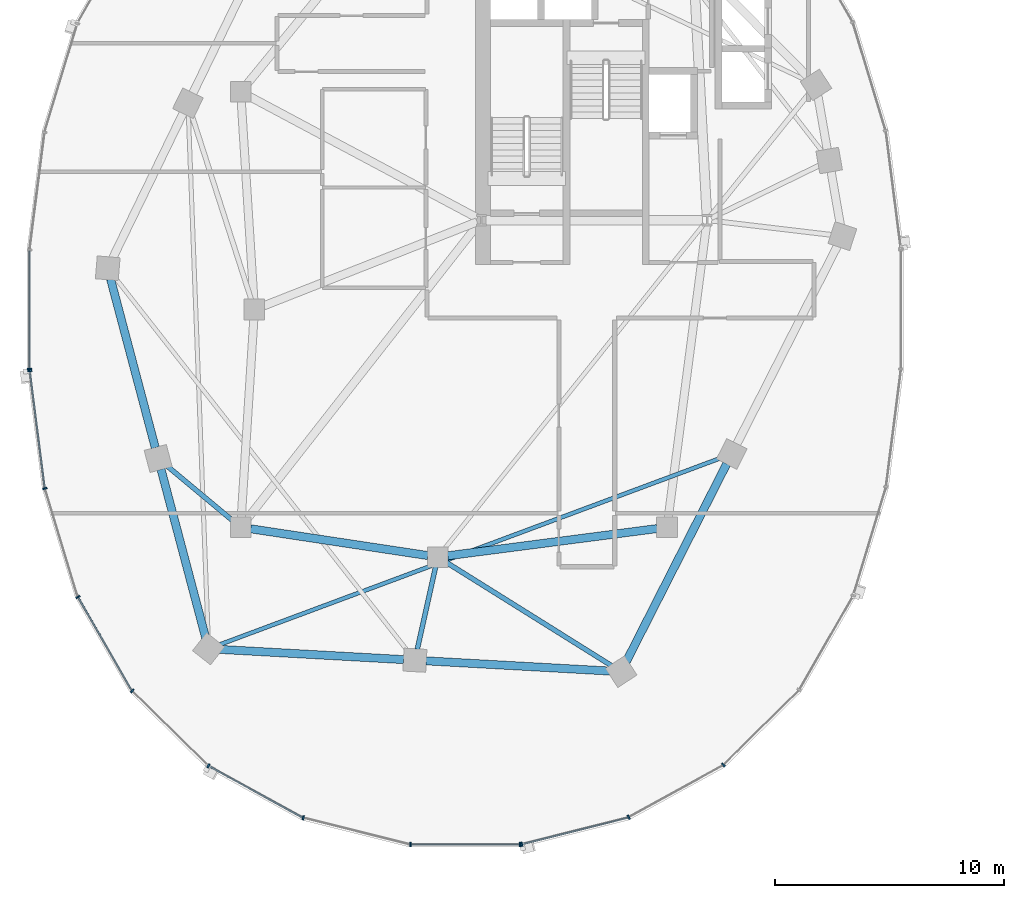
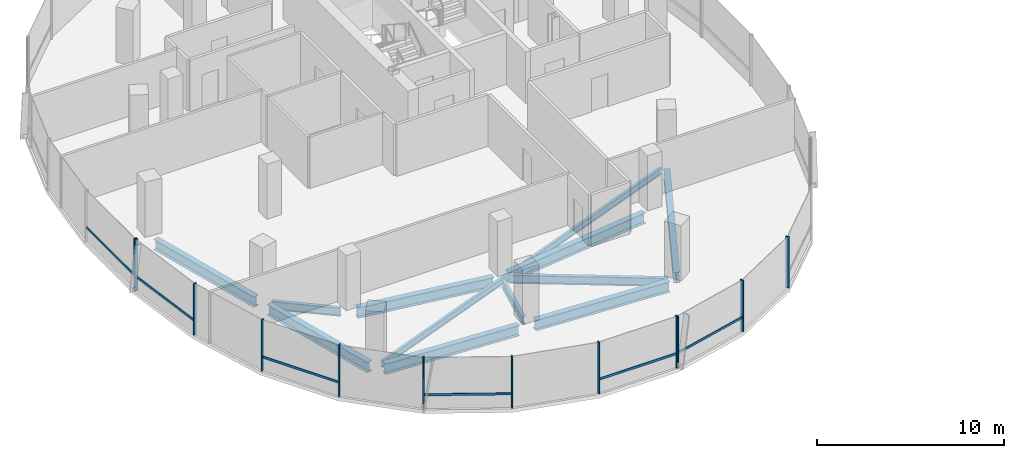
# One storey, part 2 of 22: 18 members, 11 beams, 3 elements without a shape of their own.
"""IFC4 building model written with IfcOpenShell, lengths in metres."""

from ifc_helpers import new_model, si_unit, direction, frame, origin, origin_2d, place, context, subcontext, project, spatial, rectangle, i_section, extrude, material, material_profile, profile_set, type_object, element, aggregate, save


model = new_model("IFC4")

# Units and contexts
model_context = context("Model", 3, precision=1e-05, world=origin(), true_north=direction((0.0, 1.0)))
body_context = subcontext(model_context, "Body", "Model", "MODEL_VIEW")
ifc_project = project(units=[si_unit("LENGTHUNIT", "METRE"), si_unit("AREAUNIT", "SQUARE_METRE"), si_unit("VOLUMEUNIT", "CUBIC_METRE"), si_unit("PLANEANGLEUNIT", "RADIAN"), si_unit("MASSUNIT", "GRAM", prefix="KILO"), si_unit("THERMODYNAMICTEMPERATUREUNIT", "KELVIN"), si_unit("POWERUNIT", "WATT")], contexts=[model_context])

# Site, building, storey
site_placement = place(None, origin())
site = spatial("IfcSite", under=ifc_project, at=site_placement, CompositionType="ELEMENT")
building_placement = place(site_placement, origin())
building = spatial("IfcBuilding", under=site, at=building_placement, Name="Cundina Bronze Exchange", CompositionType="ELEMENT")
storey_placement = place(building_placement, frame((0.0, 0.0, 165.60009765625)))
storey = spatial("IfcBuildingStorey", under=building, at=storey_placement, Name="L43", CompositionType="ELEMENT", Elevation=165.60009765625)

# Beams
ifc_material_1 = material(Name="Steel ASTM A992 Grade 50", Category="steel")
ifc_material_profile_1 = material_profile(ifc_material_1, i_section(OverallWidth=0.2119140625, OverallDepth=0.5439453125, WebThickness=0.01318359375, FlangeThickness=0.021240234375, FilletRadius=0.013916015625, at=origin_2d()), Name="W21X83", Category="steel")
ifc_profile_set_1 = profile_set([ifc_material_profile_1], Name="Steel ASTM A992 Grade 50")
beam_type_1 = type_object("IfcBeamType", Name="BM-FLR-W21A", PredefinedType="BEAM", material=ifc_profile_set_1)
beam_1_placement = place(storey_placement, frame((-42.136474609375, -9.219482421875, -0.51220703125), z_axis=(-0.768253211489, 0.640146079451, 0.0), x_axis=(-0.640146079451, -0.768253211489, 0.0)))
element("IfcBeam", 1, at=beam_1_placement, inside=storey, type_object=beam_type_1, Name="L43 Leg W Radial Floor Beam 09", PredefinedType="BEAM", context=body_context, shape_type="SweptSolid", body=[
    extrude(i_section(OverallWidth=0.2119140625, OverallDepth=0.5439453125, WebThickness=0.01318359375, FlangeThickness=0.021240234375, FilletRadius=0.013916015625, at=origin_2d()), origin(), (0.0, 0.0, 1.0), 3.760009765625),
])
beam_2_placement = place(storey_placement, frame((-33.294921875, -11.2275390625, -0.51220703125), z_axis=(-0.216923440287, -0.976188619609, 0.0), x_axis=(0.976188619609, -0.216923440287, 0.0)))
element("IfcBeam", 2, at=beam_2_placement, inside=storey, type_object=beam_type_1, Name="L43 Leg W Radial Floor Beam 11", PredefinedType="BEAM", context=body_context, shape_type="SweptSolid", body=[
    extrude(i_section(OverallWidth=0.2119140625, OverallDepth=0.5439453125, WebThickness=0.01318359375, FlangeThickness=0.021240234375, FilletRadius=0.013916015625, at=origin_2d()), origin(), (0.0, 0.0, 1.0), 3.68359375),
])
beam_3_placement = place(storey_placement, frame((-32.82861328125, -11.031982421875, -0.51220703125), z_axis=(0.847985407265, -0.530019574228, 0.0), x_axis=(0.530019574228, 0.847985407265, 0.0)))
element("IfcBeam", 3, at=beam_3_placement, inside=storey, type_object=beam_type_1, Name="L43 Leg W Radial Floor Beam 12", PredefinedType="BEAM", context=body_context, shape_type="SweptSolid", body=[
    extrude(i_section(OverallWidth=0.2119140625, OverallDepth=0.5439453125, WebThickness=0.01318359375, FlangeThickness=0.021240234375, FilletRadius=0.013916015625, at=origin_2d()), origin(), (0.0, 0.0, 1.0), 8.50830078125),
])
ifc_material_profile_2 = material_profile(ifc_material_1, i_section(OverallWidth=0.178955078125, OverallDepth=0.409912109375, WebThickness=0.0087890625, FlangeThickness=0.014404296875, FilletRadius=0.010986328125, at=origin_2d()), Name="W16X45", Category="steel")
ifc_profile_set_2 = profile_set([ifc_material_profile_2], Name="Steel ASTM A992 Grade 50")
beam_type_2 = type_object("IfcBeamType", Name="BM-JST-W16", PredefinedType="JOIST", material=ifc_profile_set_2)
beam_4_placement = place(storey_placement, frame((-42.74267578125, -14.629638671875, -0.445068359375), z_axis=(0.937127922351, 0.348986041483, 0.0), x_axis=(-0.348986041483, 0.937127922351, 0.0)))
element("IfcBeam", 4, at=beam_4_placement, inside=storey, type_object=beam_type_2, Name="L43 Leg W Lobe Floor Joist 10-13", PredefinedType="JOIST", context=body_context, shape_type="SweptSolid", body=[
    extrude(i_section(OverallWidth=0.178955078125, OverallDepth=0.409912109375, WebThickness=0.0087890625, FlangeThickness=0.014404296875, FilletRadius=0.010986328125, at=origin_2d()), origin(), (0.0, 0.0, 1.0), 23.38037109375),
])
ifc_material_profile_3 = material_profile(ifc_material_1, i_section(OverallWidth=0.35498046875, OverallDepth=0.695068359375, WebThickness=0.015380859375, FlangeThickness=0.02490234375, FilletRadius=0.01806640625, at=origin_2d()), Name="W27X146", Category="steel")
ifc_profile_set_3 = profile_set([ifc_material_profile_3], Name="Steel ASTM A992 Grade 50")
beam_type_3 = type_object("IfcBeamType", Name="BM-RING-W27", PredefinedType="USERDEFINED", material=ifc_profile_set_3)
beam_5_placement = place(storey_placement, frame((-41.366943359375, -9.5654296875, -0.587646484375), z_axis=(0.988764903598, -0.149478979839, 0.0), x_axis=(0.149478979839, 0.988764903598, 0.0)))
element("IfcBeam", 5, at=beam_5_placement, inside=storey, type_object=beam_type_3, Name="L43 W Inner Structural Ring Girder 05", ObjectType="GIRDER", PredefinedType="USERDEFINED", context=body_context, shape_type="SweptSolid", body=[
    extrude(i_section(OverallWidth=0.35498046875, OverallDepth=0.695068359375, WebThickness=0.015380859375, FlangeThickness=0.02490234375, FilletRadius=0.01806640625, at=origin_2d()), origin(), (0.0, 0.0, 1.0), 7.82177734375),
])
beam_6_placement = place(storey_placement, frame((-32.765625, -10.743408203125, -0.587646484375), z_axis=(0.991656498582, 0.128908451316, 0.0), x_axis=(-0.128908451316, 0.991656498582, 0.0)))
element("IfcBeam", 6, at=beam_6_placement, inside=storey, type_object=beam_type_3, Name="L43 W Inner Structural Ring Girder 06", ObjectType="GIRDER", PredefinedType="USERDEFINED", context=body_context, shape_type="SweptSolid", body=[
    extrude(i_section(OverallWidth=0.35498046875, OverallDepth=0.695068359375, WebThickness=0.015380859375, FlangeThickness=0.02490234375, FilletRadius=0.01806640625, at=origin_2d()), origin(), (0.0, 0.0, 1.0), 9.208251953125),
])
for number, where, z_axis, x_axis, name in (
    (7, (-47.47509765625, 1.328369140625, -0.587646484375), (0.256240814108, -0.966612975904, 0.0), (0.966612975904, 0.256240814108, 0.0), "L43 W Perimeter Ring Girder 08"),
    (8, (-45.27490234375, -6.9716796875, -0.587646484375), (0.256210841755, -0.96662092082, 0.0), (0.96662092082, 0.256210841755, 0.0), "L43 W Perimeter Ring Girder 09"),
):
    element("IfcBeam", number, at=place(storey_placement, frame(where, z_axis=z_axis, x_axis=x_axis)), inside=storey, type_object=beam_type_3, Name=name, ObjectType="GIRDER", PredefinedType="USERDEFINED", context=body_context, shape_type="SweptSolid", body=[
        extrude(i_section(OverallWidth=0.35498046875, OverallDepth=0.695068359375, WebThickness=0.015380859375, FlangeThickness=0.02490234375, FilletRadius=0.01806640625, at=origin_2d()), origin(), (0.0, 0.0, 1.0), 7.61083984375),
    ])
for number, where, z_axis, x_axis, name in (
    (9, (-42.712890625, -14.8271484375, -0.587646484375), (0.998460820451, -0.055461608559, 0.0), (0.055461608559, 0.998460820451, 0.0), "L43 W Perimeter Ring Girder 10"),
    (10, (-33.712890625, -15.3271484375, -0.587646484375), (0.998460820451, -0.055461608559, 0.0), (0.055461608559, 0.998460820451, 0.0), "L43 W Perimeter Ring Girder 11"),
):
    element("IfcBeam", number, at=place(storey_placement, frame(where, z_axis=z_axis, x_axis=x_axis)), inside=storey, type_object=beam_type_3, Name=name, ObjectType="GIRDER", PredefinedType="USERDEFINED", context=body_context, shape_type="SweptSolid", body=[
        extrude(i_section(OverallWidth=0.35498046875, OverallDepth=0.695068359375, WebThickness=0.015380859375, FlangeThickness=0.02490234375, FilletRadius=0.01806640625, at=origin_2d()), origin(), (0.0, 0.0, 1.0), 8.0380859375),
    ])
beam_7_placement = place(storey_placement, frame((-24.97900390625, -15.364990234375, -0.587646484375), z_axis=(0.452834585354, 0.891594548159, 0.0), x_axis=(-0.891594548159, 0.452834585354, 0.0)))
element("IfcBeam", 11, at=beam_7_placement, inside=storey, type_object=beam_type_3, Name="L43 W Perimeter Ring Girder 12", ObjectType="GIRDER", PredefinedType="USERDEFINED", context=body_context, shape_type="SweptSolid", body=[
    extrude(i_section(OverallWidth=0.35498046875, OverallDepth=0.695068359375, WebThickness=0.015380859375, FlangeThickness=0.02490234375, FilletRadius=0.01806640625, at=origin_2d()), origin(), (0.0, 0.0, 1.0), 9.67919921875),
])

# Curtain wall, member
ifc_material_2 = material(Name="Anodised Bronze Aluminium 6063-T6", Category="aluminium")
curtain_wall_type = type_object("IfcCurtainWallType", Name="CWS-WST-PIN", PredefinedType="NOTDEFINED", material=ifc_material_2)
curtain_wall_1_placement = place(storey_placement, origin())
curtain_wall_1 = element("IfcCurtainWall", 12, at=curtain_wall_1_placement, inside=storey, type_object=curtain_wall_type, Name="L43 CW-04 Curtain Wall Run CWR-L43-W2", PredefinedType="NOTDEFINED")
ifc_material_profile_4 = material_profile(ifc_material_2, rectangle(XDim=0.070068359375, YDim=0.18994140625, at=origin_2d()), Name="AL70X190", Category="aluminium")
ifc_profile_set_4 = profile_set([ifc_material_profile_4], Name="Anodised Bronze Aluminium 6063-T6")
member_type_1 = type_object("IfcMemberType", Name="CWM-MUL-190", PredefinedType="MULLION", material=ifc_profile_set_4)
member_1_placement = place(storey_placement, frame((-51.007080078125, -2.593017578125, 0.0), z_axis=(0.0, 0.0, 1.0), x_axis=(0.0, -1.0, 0.0)))
member_1 = element("IfcMember", 13, at=member_1_placement, type_object=member_type_1, Name="CW-04 End Mullion", PredefinedType="MULLION", context=body_context, shape_type="SweptSolid", body=[
    extrude(rectangle(XDim=0.070068359375, YDim=0.18994140625, at=origin_2d()), origin(), (0.0, 0.0, 1.0), 3.35986328125),
])

# Curtain wall, members
curtain_wall_2_placement = place(storey_placement, origin())
curtain_wall_2 = element("IfcCurtainWall", 14, at=curtain_wall_2_placement, inside=storey, type_object=curtain_wall_type, Name="L43 CW-04 Curtain Wall Run CWR-L43-W3", PredefinedType="NOTDEFINED")
member_2_placement = place(storey_placement, frame((-51.001708984375, -2.676025390625, 0.0), z_axis=(0.0, 0.0, 1.0), x_axis=(0.126545236492, -0.991960837494, 0.0)))
member_2 = element("IfcMember", 15, at=member_2_placement, type_object=member_type_1, Name="CW-04 Mullion 1", PredefinedType="MULLION", context=body_context, shape_type="SweptSolid", body=[
    extrude(rectangle(XDim=0.070068359375, YDim=0.18994140625, at=origin_2d()), origin(), (0.0, 0.0, 1.0), 3.35986328125),
])
member_3_placement = place(storey_placement, frame((-50.3408203125, -7.80859375, 0.0), z_axis=(0.0, 0.0, 1.0), x_axis=(0.290034140915, -0.957016299288, 0.0)))
member_3 = element("IfcMember", 16, at=member_3_placement, type_object=member_type_1, Name="CW-04 Mullion 2", PredefinedType="MULLION", context=body_context, shape_type="SweptSolid", body=[
    extrude(rectangle(XDim=0.070068359375, YDim=0.18994140625, at=origin_2d()), origin(), (0.0, 0.0, 1.0), 3.35986328125),
])
member_4_placement = place(storey_placement, frame((-48.89794921875, -12.541259765625, 0.0), z_axis=(0.0, 0.0, 1.0), x_axis=(0.498487739754, -0.866896748936, 0.0)))
member_4 = element("IfcMember", 17, at=member_4_placement, type_object=member_type_1, Name="CW-04 Mullion 3", PredefinedType="MULLION", context=body_context, shape_type="SweptSolid", body=[
    extrude(rectangle(XDim=0.070068359375, YDim=0.18994140625, at=origin_2d()), origin(), (0.0, 0.0, 1.0), 3.35986328125),
])
member_5_placement = place(storey_placement, frame((-46.530517578125, -16.640380859375, 0.0), z_axis=(0.0, 0.0, 1.0), x_axis=(0.712026045991, -0.702153052995, 0.0)))
member_5 = element("IfcMember", 18, at=member_5_placement, type_object=member_type_1, Name="CW-04 Mullion 4", PredefinedType="MULLION", context=body_context, shape_type="SweptSolid", body=[
    extrude(rectangle(XDim=0.070068359375, YDim=0.18994140625, at=origin_2d()), origin(), (0.0, 0.0, 1.0), 3.35986328125),
])
member_6_placement = place(storey_placement, frame((-43.20654296875, -19.906005859375, 0.0), z_axis=(0.0, 0.0, 1.0), x_axis=(0.875885937035, -0.482518212408, 0.0)))
member_6 = element("IfcMember", 19, at=member_6_placement, type_object=member_type_1, Name="CW-04 Mullion 5", PredefinedType="MULLION", context=body_context, shape_type="SweptSolid", body=[
    extrude(rectangle(XDim=0.070068359375, YDim=0.18994140625, at=origin_2d()), origin(), (0.0, 0.0, 1.0), 3.35986328125),
])
member_7_placement = place(storey_placement, frame((-39.067626953125, -22.17626953125, 0.0), z_axis=(0.0, 0.0, 1.0), x_axis=(0.970084240161, -0.242768546132, 0.0)))
member_7 = element("IfcMember", 20, at=member_7_placement, type_object=member_type_1, Name="CW-04 Mullion 6", PredefinedType="MULLION", context=body_context, shape_type="SweptSolid", body=[
    extrude(rectangle(XDim=0.070068359375, YDim=0.18994140625, at=origin_2d()), origin(), (0.0, 0.0, 1.0), 3.35986328125),
])
member_8_placement = place(storey_placement, frame((-34.39404296875, -23.3369140625, 0.0), z_axis=(0.0, 0.0, 1.0), x_axis=(1.0, 0.0, 0.0)))
member_8 = element("IfcMember", 21, at=member_8_placement, type_object=member_type_1, Name="CW-04 Mullion 7", PredefinedType="MULLION", context=body_context, shape_type="SweptSolid", body=[
    extrude(rectangle(XDim=0.070068359375, YDim=0.18994140625, at=origin_2d()), origin(), (0.0, 0.0, 1.0), 3.35986328125),
])
member_9_placement = place(storey_placement, frame((-29.60595703125, -23.3369140625, 0.0), z_axis=(0.0, 0.0, 1.0), x_axis=(1.0, 0.0, 0.0)))
member_9 = element("IfcMember", 22, at=member_9_placement, type_object=member_type_1, Name="CW-04 End Mullion", PredefinedType="MULLION", context=body_context, shape_type="SweptSolid", body=[
    extrude(rectangle(XDim=0.070068359375, YDim=0.18994140625, at=origin_2d()), origin(), (0.0, 0.0, 1.0), 3.35986328125),
])

curtain_wall_3_placement = place(storey_placement, origin())
curtain_wall_3 = element("IfcCurtainWall", 23, at=curtain_wall_3_placement, inside=storey, type_object=curtain_wall_type, Name="L43 CW-04 Curtain Wall Run CWR-L43-W4", PredefinedType="NOTDEFINED")
member_10_placement = place(storey_placement, frame((-29.537353515625, -23.32861328125, 0.0), z_axis=(0.0, 0.0, 1.0), x_axis=(0.970084240161, 0.242768546132, 0.0)))
member_10 = element("IfcMember", 24, at=member_10_placement, type_object=member_type_1, Name="CW-04 Mullion 1", PredefinedType="MULLION", context=body_context, shape_type="SweptSolid", body=[
    extrude(rectangle(XDim=0.070068359375, YDim=0.18994140625, at=origin_2d()), origin(), (0.0, 0.0, 1.0), 3.35986328125),
])
member_11_placement = place(storey_placement, frame((-24.86962890625, -22.151611328125, 0.0), z_axis=(0.0, 0.0, 1.0), x_axis=(0.875885937035, 0.482518212408, 0.0)))
member_11 = element("IfcMember", 25, at=member_11_placement, type_object=member_type_1, Name="CW-04 Mullion 2", PredefinedType="MULLION", context=body_context, shape_type="SweptSolid", body=[
    extrude(rectangle(XDim=0.070068359375, YDim=0.18994140625, at=origin_2d()), origin(), (0.0, 0.0, 1.0), 3.35986328125),
])
member_12_placement = place(storey_placement, frame((-20.740966796875, -19.86669921875, 0.0), z_axis=(0.0, 0.0, 1.0), x_axis=(0.712026045991, 0.702153052995, 0.0)))
member_12 = element("IfcMember", 26, at=member_12_placement, type_object=member_type_1, Name="CW-04 Mullion 3", PredefinedType="MULLION", context=body_context, shape_type="SweptSolid", body=[
    extrude(rectangle(XDim=0.070068359375, YDim=0.18994140625, at=origin_2d()), origin(), (0.0, 0.0, 1.0), 3.35986328125),
])

# Member
ifc_material_profile_5 = material_profile(ifc_material_2, rectangle(XDim=0.06494140625, YDim=0.14990234375, at=origin_2d()), Name="AL65X150", Category="aluminium")
ifc_profile_set_5 = profile_set([ifc_material_profile_5], Name="Anodised Bronze Aluminium 6063-T6")
member_type_2 = type_object("IfcMemberType", Name="CWM-TRN-150", PredefinedType="USERDEFINED", material=ifc_profile_set_5)
member_13_placement = place(storey_placement, frame((-51.007080078125, 2.554443359375, 0.919921875), z_axis=(0.0, -1.0, 0.0), x_axis=(1.0, 0.0, 0.0)))
member_13 = element("IfcMember", 27, at=member_13_placement, type_object=member_type_2, Name="CW-04 Spandrel Transom 7", ObjectType="TRANSOM", PredefinedType="USERDEFINED", context=body_context, shape_type="SweptSolid", body=[
    extrude(rectangle(XDim=0.06494140625, YDim=0.14990234375, at=origin_2d()), origin(), (0.0, 0.0, 1.0), 5.10888671875),
])

aggregate(curtain_wall_1, [member_1, member_13])

member_14_placement = place(storey_placement, frame((-50.996826171875, -2.71435546875, 0.919921875), z_axis=(0.12646340362, -0.991971273548, 0.0), x_axis=(0.991971273548, 0.12646340362, 0.0)))
member_14 = element("IfcMember", 28, at=member_14_placement, type_object=member_type_2, Name="CW-04 Spandrel Transom 1", ObjectType="TRANSOM", PredefinedType="USERDEFINED", context=body_context, shape_type="SweptSolid", body=[
    extrude(rectangle(XDim=0.06494140625, YDim=0.14990234375, at=origin_2d()), origin(), (0.0, 0.0, 1.0), 5.0966796875),
])

member_15_placement = place(storey_placement, frame((-48.878662109375, -12.574462890625, 0.919921875), z_axis=(0.498479967047, -0.866901218394, 0.0), x_axis=(0.866901218394, 0.498479967047, 0.0)))
member_15 = element("IfcMember", 29, at=member_15_placement, type_object=member_type_2, Name="CW-04 Spandrel Transom 3", ObjectType="TRANSOM", PredefinedType="USERDEFINED", context=body_context, shape_type="SweptSolid", body=[
    extrude(rectangle(XDim=0.06494140625, YDim=0.14990234375, at=origin_2d()), origin(), (0.0, 0.0, 1.0), 4.66845703125),
])

member_16_placement = place(storey_placement, frame((-43.1728515625, -19.924560546875, 0.919921875), z_axis=(0.875878981549, -0.482530838062, 0.0), x_axis=(0.482530838062, 0.875878981549, 0.0)))
member_16 = element("IfcMember", 30, at=member_16_placement, type_object=member_type_2, Name="CW-04 Spandrel Transom 5", ObjectType="TRANSOM", PredefinedType="USERDEFINED", context=body_context, shape_type="SweptSolid", body=[
    extrude(rectangle(XDim=0.06494140625, YDim=0.14990234375, at=origin_2d()), origin(), (0.0, 0.0, 1.0), 4.65380859375),
])

member_17_placement = place(storey_placement, frame((-34.35546875, -23.3369140625, 0.919921875), z_axis=(1.0, 0.0, 0.0), x_axis=(0.0, 1.0, 0.0)))
member_17 = element("IfcMember", 31, at=member_17_placement, type_object=member_type_2, Name="CW-04 Spandrel Transom 7", ObjectType="TRANSOM", PredefinedType="USERDEFINED", context=body_context, shape_type="SweptSolid", body=[
    extrude(rectangle(XDim=0.06494140625, YDim=0.14990234375, at=origin_2d()), origin(), (0.0, 0.0, 1.0), 4.7109375),
])

aggregate(curtain_wall_2, [member_2, member_14, member_3, member_4, member_15, member_5, member_6, member_16, member_7, member_8, member_9, member_17])

member_18_placement = place(storey_placement, frame((-29.5, -23.319091796875, 0.919921875), z_axis=(0.970100130035, 0.242705042606, 0.0), x_axis=(-0.242705042606, 0.970100130035, 0.0)))
member_18 = element("IfcMember", 32, at=member_18_placement, type_object=member_type_2, Name="CW-04 Spandrel Transom 1", ObjectType="TRANSOM", PredefinedType="USERDEFINED", context=body_context, shape_type="SweptSolid", body=[
    extrude(rectangle(XDim=0.06494140625, YDim=0.14990234375, at=origin_2d()), origin(), (0.0, 0.0, 1.0), 4.746826171875),
])

aggregate(curtain_wall_3, [member_10, member_18, member_11, member_12])

save(model, "model.ifc")
